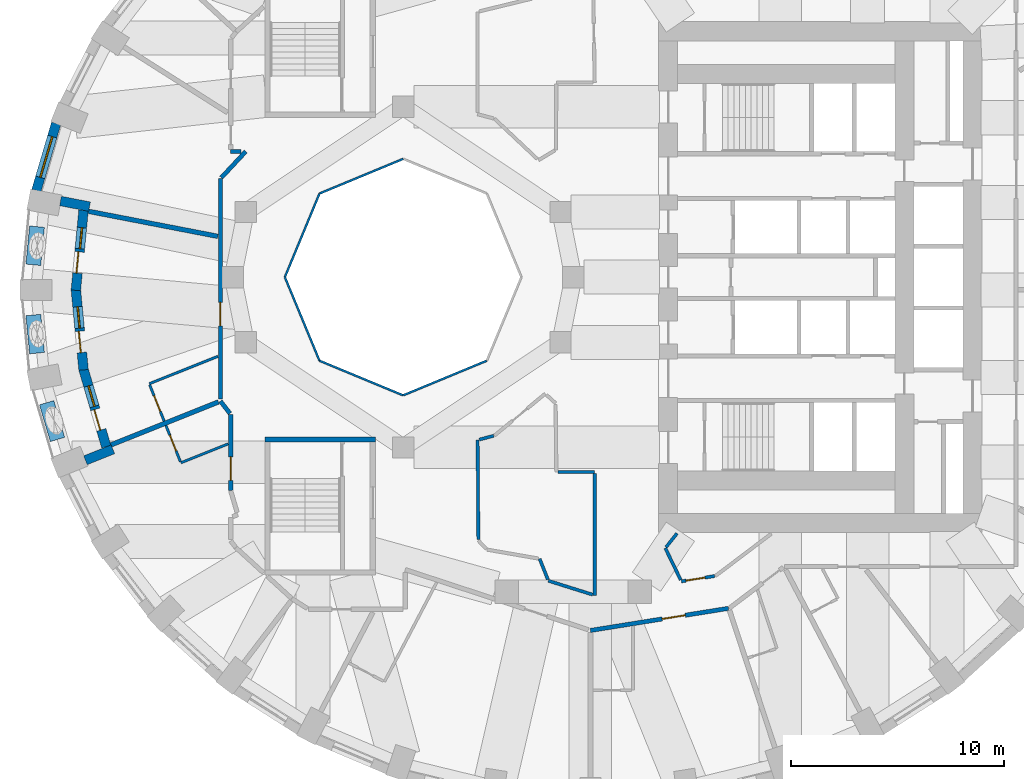
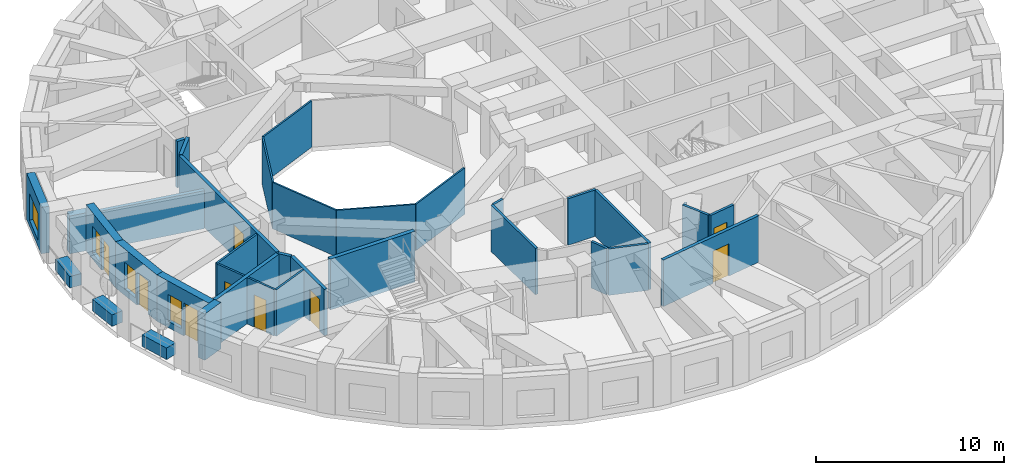
# One storey, part 4 of 12: 36 walls, 9 doors, 4 windows, 13 openings.
"""IFC4 building model written with IfcOpenShell, lengths in metres."""

from ifc_helpers import new_model, si_unit, direction, frame, frame_2d, origin, place, context, subcontext, project, spatial, rectangle, extrude, material, layer, layer_set, constituent, constituent_set, type_object, element, fill, save


model = new_model("IFC4")

# Units and contexts
model_context = context("Model", 3, precision=1e-05, world=origin(), true_north=direction((0.0, 1.0)))
body_context = subcontext(model_context, "Body", "Model", "MODEL_VIEW")
ifc_project = project(units=[si_unit("LENGTHUNIT", "METRE"), si_unit("AREAUNIT", "SQUARE_METRE"), si_unit("VOLUMEUNIT", "CUBIC_METRE"), si_unit("PLANEANGLEUNIT", "RADIAN"), si_unit("MASSUNIT", "GRAM", prefix="KILO")], contexts=[model_context])

# Site, building, storey
site_placement = place(None, origin())
site = spatial("IfcSite", under=ifc_project, at=site_placement, CompositionType="ELEMENT")
building_placement = place(site_placement, origin())
building = spatial("IfcBuilding", under=site, at=building_placement, Name="Taillehof Tower", CompositionType="ELEMENT")
storey_placement = place(building_placement, frame((0.0, 0.0, 102.10009765625)))
storey = spatial("IfcBuildingStorey", under=building, at=storey_placement, Name="L28", CompositionType="ELEMENT", Elevation=102.10009765625)

# Walls
ifc_material_1 = material(Name="Fire-resisting glass in steel frame", Category="steel")
ifc_layer_1 = layer(ifc_material_1, 0.10009765625)
ifc_layer_set_1 = layer_set([ifc_layer_1], Name="Atrium fire-resisting screen EI 60 100")
wall_type_1 = type_object("IfcWallType", Name="Atrium fire-resisting screen EI 60 100", PredefinedType="PARTITIONING", material=ifc_layer_set_1)
for number, where, z_axis, x_axis, name in (
    (1, (-4.07275390625, -3.92724609375, 0.0), (0.0, 0.0, 1.0), (-0.923860025149, -0.382730523909, 0.0), "Atrium screen"),
    (2, (-8.0, -5.55419921875, 0.0), (0.0, 0.0, 1.0), (-0.923860025149, 0.382730523909, 0.0), "Atrium screen"),
    (3, (-11.92724609375, -3.92724609375, 0.0), (0.0, 0.0, 1.0), (-0.382730523909, 0.923860025149, 0.0), "Atrium screen"),
    (4, (-13.55419921875, 0.0, 0.0), (0.0, 0.0, 1.0), (0.382730523909, 0.923860025149, 0.0), "Atrium screen"),
    (5, (-11.92724609375, 3.92724609375, 0.0), (0.0, 0.0, 1.0), (0.923860025149, 0.382730523909, 0.0), "Atrium screen"),
):
    element("IfcWall", number, at=place(storey_placement, frame(where, z_axis=z_axis, x_axis=x_axis)), inside=storey, type_object=wall_type_1, Name=name, PredefinedType="PARTITIONING", context=body_context, shape_type="SweptSolid", body=[
        extrude(rectangle(XDim=4.2509765625, YDim=0.10009765625, at=frame_2d((2.12548828125, 0.0))), origin(), (0.0, 0.0, 1.0), 3.02001953125),
    ])

# Wall, opening, window
ifc_material_2 = material(Name="Brick masonry", Category="masonry")
ifc_layer_2 = layer(ifc_material_2, 0.449951171875)
ifc_layer_set_2 = layer_set([ifc_layer_2], Name="Brick infill wall 450")
wall_type_2 = type_object("IfcWallType", Name="Brick infill wall 450", PredefinedType="SOLIDWALL", material=ifc_layer_set_2)
wall_1_placement = place(storey_placement, frame((-24.302001953125, 7.220703125, 0.0), z_axis=(0.0, 0.0, 1.0), x_axis=(-0.283071248438, -0.959098883488, 0.0)))
wall_1 = element("IfcWall", 6, at=wall_1_placement, inside=storey, type_object=wall_type_2, Name="Brick wall L28 bay 17", PredefinedType="SOLIDWALL", context=body_context, shape_type="SweptSolid", body=[
    extrude(rectangle(XDim=3.2861328125, YDim=0.449951171875, at=frame_2d((1.64306640625, 0.0))), origin(), (0.0, 0.0, 1.0), 3.02001953125),
])
opening_1_placement = place(wall_1_placement, frame((0.64306640625, 0.0, 0.39990234375)))
opening_1 = element("IfcOpeningElement", 7, at=opening_1_placement, cuts=wall_1, Name="Opening W2", PredefinedType="OPENING", context=body_context, shape_type="SweptSolid", body=[
    extrude(rectangle(XDim=2.0, YDim=1.75, at=frame_2d((1.0, 0.875))), frame((0.0, 0.23486328125, 0.0), z_axis=(0.0, -1.0, 0.0), x_axis=(1.0, 0.0, 0.0)), (0.0, 0.0, 1.0), 0.469970703125),
])
ifc_material_3 = material(Name="Aluminium window frame with clear double glazing", Category="aluminium")
window_type_1 = type_object("IfcWindowType", Name="Deep-set window 2000x1750", PartitioningType="SINGLE_PANEL", PredefinedType="WINDOW", material=ifc_material_3)
window_1_placement = place(opening_1_placement, origin())
window_1 = element("IfcWindow", 8, at=window_1_placement, inside=storey, type_object=window_type_1, Name="W2", OverallHeight=1.75, OverallWidth=2.0, PartitioningType="SINGLE_PANEL", PredefinedType="WINDOW", context=body_context, shape_type="SweptSolid", body=[
    extrude(rectangle(XDim=2.0, YDim=1.75, at=frame_2d((1.0, 0.875))), frame((0.0, 0.034912109375, 0.0), z_axis=(0.0, -1.0, 0.0), x_axis=(1.0, 0.0, 0.0)), (0.0, 0.0, 1.0), 0.06005859375),
])
fill(opening_1, window_1)

# Walls
wall_2_placement = place(storey_placement, frame((-24.09716796875, 3.576416015625, 0.0), z_axis=(0.0, 0.0, 1.0), x_axis=(0.981777736615, -0.190032828447, 0.0)))
element("IfcWall", 9, at=wall_2_placement, inside=storey, type_object=wall_type_2, Name="Brick reveal L28 pocket 5", PredefinedType="SOLIDWALL", context=body_context, shape_type="SweptSolid", body=[
    extrude(rectangle(XDim=1.39013671875, YDim=0.449951171875, at=frame_2d((0.695068359375, 0.0))), origin(), (0.0, 0.0, 1.0), 2.469970703125),
])
wall_3_placement = place(storey_placement, frame((-22.92626953125, -8.60498046875, 0.0), z_axis=(0.0, 0.0, 1.0), x_axis=(0.928549333349, 0.371209018665, 0.0)))
element("IfcWall", 10, at=wall_3_placement, inside=storey, type_object=wall_type_2, Name="Brick reveal L28 pocket 5", PredefinedType="SOLIDWALL", context=body_context, shape_type="SweptSolid", body=[
    extrude(rectangle(XDim=1.390380859375, YDim=0.449951171875, at=frame_2d((0.6953125, 0.0))), origin(), (0.0, 0.0, 1.0), 3.02001953125),
])

# Wall, openings, door, window
wall_4_placement = place(storey_placement, frame((-23.0146484375, 3.1376953125, 0.0), z_axis=(0.0, 0.0, 1.0), x_axis=(-0.095675452713, -0.995412581671, 0.0)))
wall_4 = element("IfcWall", 11, at=wall_4_placement, inside=storey, type_object=wall_type_2, Name="Brick wall L28 pocket bay 18", PredefinedType="SOLIDWALL", context=body_context, shape_type="SweptSolid", body=[
    extrude(rectangle(XDim=3.776611328125, YDim=0.449951171875, at=frame_2d((1.88818359375, 0.0))), origin(), (0.0, 0.0, 1.0), 3.02001953125),
])
opening_2_placement = place(wall_4_placement, frame((0.813232421875, 0.0, 0.39990234375)))
opening_2 = element("IfcOpeningElement", 12, at=opening_2_placement, cuts=wall_4, Name="Opening W5", PredefinedType="OPENING", context=body_context, shape_type="SweptSolid", body=[
    extrude(rectangle(XDim=1.0, YDim=1.75, at=frame_2d((0.5, 0.875))), frame((0.0, 0.23486328125, 0.0), z_axis=(0.0, -1.0, 0.0), x_axis=(1.0, 0.0, 0.0)), (0.0, 0.0, 1.0), 0.469970703125),
])
opening_3_placement = place(wall_4_placement, frame((1.96337890625, 0.0, 0.0)))
opening_3 = element("IfcOpeningElement", 13, at=opening_3_placement, cuts=wall_4, Name="Opening D2894", PredefinedType="OPENING", context=body_context, shape_type="SweptSolid", body=[
    extrude(rectangle(XDim=1.0, YDim=2.14990234375, at=frame_2d((0.5, 1.074951171875))), frame((0.0, 0.23486328125, 0.0), z_axis=(0.0, -1.0, 0.0), x_axis=(1.0, 0.0, 0.0)), (0.0, 0.0, 1.0), 0.469970703125),
])
ifc_material_4 = material(Name="Aluminium door frame with clear double glazing", Category="aluminium")
door_type_1 = type_object("IfcDoorType", Name="Balcony door 1000x2150", OperationType="SINGLE_SWING_RIGHT", PredefinedType="DOOR", material=ifc_material_4)
door_1_placement = place(opening_3_placement, frame((1.0, 0.0, 0.0), z_axis=(0.0, 0.0, 1.0), x_axis=(-1.0, 0.0, 0.0)))
door_1 = element("IfcDoor", 14, at=door_1_placement, inside=storey, type_object=door_type_1, Name="Balcony door L28 bay 18", OperationType="SINGLE_SWING_RIGHT", OverallHeight=2.14990234375, OverallWidth=1.0, PredefinedType="DOOR", context=body_context, shape_type="SweptSolid", body=[
    extrude(rectangle(XDim=1.0, YDim=2.14990234375, at=frame_2d((0.5, 1.074951171875))), frame((0.0, 0.0751953125, 0.0), z_axis=(0.0, -1.0, 0.0), x_axis=(1.0, 0.0, 0.0)), (0.0, 0.0, 1.0), 0.050048828125),
])
fill(opening_3, door_1)
ifc_material_5 = material(Name="Aluminium window frame with clear double glazing", Category="aluminium")
window_type_2 = type_object("IfcWindowType", Name="Fixed window 1000x1750", PartitioningType="SINGLE_PANEL", PredefinedType="WINDOW", material=ifc_material_5)
window_2_placement = place(opening_2_placement, origin())
window_2 = element("IfcWindow", 15, at=window_2_placement, inside=storey, type_object=window_type_2, Name="W5", OverallHeight=1.75, OverallWidth=1.0, PartitioningType="SINGLE_PANEL", PredefinedType="WINDOW", context=body_context, shape_type="SweptSolid", body=[
    extrude(rectangle(XDim=1.0, YDim=1.75, at=frame_2d((0.5, 0.875))), frame((0.0, 0.034912109375, 0.0), z_axis=(0.0, -1.0, 0.0), x_axis=(1.0, 0.0, 0.0)), (0.0, 0.0, 1.0), 0.06005859375),
])
fill(opening_2, window_2)

wall_5_placement = place(storey_placement, frame((-23.3759765625, -0.578369140625, 0.0), z_axis=(0.0, 0.0, 1.0), x_axis=(0.095646267275, -0.995415386437, 0.0)))
wall_5 = element("IfcWall", 16, at=wall_5_placement, inside=storey, type_object=wall_type_2, Name="Brick wall L28 pocket bay 19", PredefinedType="SOLIDWALL", context=body_context, shape_type="SweptSolid", body=[
    extrude(rectangle(XDim=3.798095703125, YDim=0.449951171875, at=frame_2d((1.89892578125, 0.0))), origin(), (0.0, 0.0, 1.0), 3.02001953125),
])
opening_4_placement = place(wall_5_placement, frame((0.823974609375, 0.0, 0.39990234375)))
opening_4 = element("IfcOpeningElement", 17, at=opening_4_placement, cuts=wall_5, Name="Opening W5", PredefinedType="OPENING", context=body_context, shape_type="SweptSolid", body=[
    extrude(rectangle(XDim=1.0, YDim=1.75, at=frame_2d((0.5, 0.875))), frame((0.0, 0.23486328125, 0.0), z_axis=(0.0, -1.0, 0.0), x_axis=(1.0, 0.0, 0.0)), (0.0, 0.0, 1.0), 0.469970703125),
])
opening_5_placement = place(wall_5_placement, frame((1.97412109375, 0.0, 0.0)))
opening_5 = element("IfcOpeningElement", 18, at=opening_5_placement, cuts=wall_5, Name="Opening D2895", PredefinedType="OPENING", context=body_context, shape_type="SweptSolid", body=[
    extrude(rectangle(XDim=1.0, YDim=2.14990234375, at=frame_2d((0.5, 1.074951171875))), frame((0.0, 0.23486328125, 0.0), z_axis=(0.0, -1.0, 0.0), x_axis=(1.0, 0.0, 0.0)), (0.0, 0.0, 1.0), 0.469970703125),
])
door_2_placement = place(opening_5_placement, frame((1.0, 0.0, 0.0), z_axis=(0.0, 0.0, 1.0), x_axis=(-1.0, 0.0, 0.0)))
door_2 = element("IfcDoor", 19, at=door_2_placement, inside=storey, type_object=door_type_1, Name="Balcony door L28 bay 19", OperationType="SINGLE_SWING_LEFT", OverallHeight=2.14990234375, OverallWidth=1.0, PredefinedType="DOOR", context=body_context, shape_type="SweptSolid", body=[
    extrude(rectangle(XDim=1.0, YDim=2.14990234375, at=frame_2d((0.5, 1.074951171875))), frame((0.0, 0.0751953125, 0.0), z_axis=(0.0, -1.0, 0.0), x_axis=(1.0, 0.0, 0.0)), (0.0, 0.0, 1.0), 0.050048828125),
])
fill(opening_5, door_2)
window_3_placement = place(opening_4_placement, origin())
window_3 = element("IfcWindow", 20, at=window_3_placement, inside=storey, type_object=window_type_2, Name="W5", OverallHeight=1.75, OverallWidth=1.0, PartitioningType="SINGLE_PANEL", PredefinedType="WINDOW", context=body_context, shape_type="SweptSolid", body=[
    extrude(rectangle(XDim=1.0, YDim=1.75, at=frame_2d((0.5, 0.875))), frame((0.0, 0.034912109375, 0.0), z_axis=(0.0, -1.0, 0.0), x_axis=(1.0, 0.0, 0.0)), (0.0, 0.0, 1.0), 0.06005859375),
])
fill(opening_4, window_3)

wall_6_placement = place(storey_placement, frame((-23.020751953125, -4.317138671875, 0.0), z_axis=(0.0, 0.0, 1.0), x_axis=(0.282391916129, -0.959299122123, 0.0)))
wall_6 = element("IfcWall", 21, at=wall_6_placement, inside=storey, type_object=wall_type_2, Name="Brick wall L28 pocket bay 20", PredefinedType="SOLIDWALL", context=body_context, shape_type="SweptSolid", body=[
    extrude(rectangle(XDim=3.808349609375, YDim=0.449951171875, at=frame_2d((1.904296875, 0.0))), origin(), (0.0, 0.0, 1.0), 3.02001953125),
])
opening_6_placement = place(wall_6_placement, frame((0.8291015625, 0.0, 0.39990234375)))
opening_6 = element("IfcOpeningElement", 22, at=opening_6_placement, cuts=wall_6, Name="Opening W5", PredefinedType="OPENING", context=body_context, shape_type="SweptSolid", body=[
    extrude(rectangle(XDim=1.0, YDim=1.75, at=frame_2d((0.5, 0.875))), frame((0.0, 0.23486328125, 0.0), z_axis=(0.0, -1.0, 0.0), x_axis=(1.0, 0.0, 0.0)), (0.0, 0.0, 1.0), 0.469970703125),
])
opening_7_placement = place(wall_6_placement, frame((1.979248046875, 0.0, 0.0)))
opening_7 = element("IfcOpeningElement", 23, at=opening_7_placement, cuts=wall_6, Name="Opening D2896", PredefinedType="OPENING", context=body_context, shape_type="SweptSolid", body=[
    extrude(rectangle(XDim=1.0, YDim=2.14990234375, at=frame_2d((0.5, 1.074951171875))), frame((0.0, 0.23486328125, 0.0), z_axis=(0.0, -1.0, 0.0), x_axis=(1.0, 0.0, 0.0)), (0.0, 0.0, 1.0), 0.469970703125),
])
door_3_placement = place(opening_7_placement, frame((1.0, 0.0, 0.0), z_axis=(0.0, 0.0, 1.0), x_axis=(-1.0, 0.0, 0.0)))
door_3 = element("IfcDoor", 24, at=door_3_placement, inside=storey, type_object=door_type_1, Name="Balcony door L28 bay 20", OperationType="SINGLE_SWING_LEFT", OverallHeight=2.14990234375, OverallWidth=1.0, PredefinedType="DOOR", context=body_context, shape_type="SweptSolid", body=[
    extrude(rectangle(XDim=1.0, YDim=2.14990234375, at=frame_2d((0.5, 1.074951171875))), frame((0.0, 0.0751953125, 0.0), z_axis=(0.0, -1.0, 0.0), x_axis=(1.0, 0.0, 0.0)), (0.0, 0.0, 1.0), 0.050048828125),
])
fill(opening_7, door_3)
window_4_placement = place(opening_6_placement, origin())
window_4 = element("IfcWindow", 25, at=window_4_placement, inside=storey, type_object=window_type_2, Name="W5", OverallHeight=1.75, OverallWidth=1.0, PartitioningType="SINGLE_PANEL", PredefinedType="WINDOW", context=body_context, shape_type="SweptSolid", body=[
    extrude(rectangle(XDim=1.0, YDim=1.75, at=frame_2d((0.5, 0.875))), frame((0.0, 0.034912109375, 0.0), z_axis=(0.0, -1.0, 0.0), x_axis=(1.0, 0.0, 0.0)), (0.0, 0.0, 1.0), 0.06005859375),
])
fill(opening_6, window_4)

# Wall, opening, door
ifc_material_6 = material(Name="Gypsum board on steel studs, two layers each side", Category="steel")
ifc_layer_3 = layer(ifc_material_6, 0.199951171875)
ifc_layer_set_3 = layer_set([ifc_layer_3], Name="Compartment wall corridor 200")
wall_type_3 = type_object("IfcWallType", Name="Compartment wall corridor 200", PredefinedType="PARTITIONING", material=ifc_layer_set_3)
wall_7_placement = place(storey_placement, frame((-16.10009765625, -10.013427734375, 0.0), z_axis=(0.0, 0.0, 1.0), x_axis=(0.0, 1.0, 0.0)))
wall_7 = element("IfcWall", 26, at=wall_7_placement, inside=storey, type_object=wall_type_3, Name="Compartment wall", PredefinedType="PARTITIONING", context=body_context, shape_type="SweptSolid", body=[
    extrude(rectangle(XDim=3.561279296875, YDim=0.199951171875, at=frame_2d((1.78076171875, 0.0))), origin(), (0.0, 0.0, 1.0), 3.02001953125),
])
opening_8_placement = place(wall_7_placement, frame((0.47021484375, 0.0, 0.0)))
opening_8 = element("IfcOpeningElement", 27, at=opening_8_placement, cuts=wall_7, Name="Opening D2850", PredefinedType="OPENING", context=body_context, shape_type="SweptSolid", body=[
    extrude(rectangle(XDim=1.10009765625, YDim=2.10009765625, at=frame_2d((0.550048828125, 1.050048828125))), frame((0.0, 0.10986328125, 0.0), z_axis=(0.0, -1.0, 0.0), x_axis=(1.0, 0.0, 0.0)), (0.0, 0.0, 1.0), 0.219970703125),
])
ifc_material_7 = material(Name="Timber door leaf in steel frame", Category="steel")
door_type_2 = type_object("IfcDoorType", Name="Suite entrance door EI 30 1100 x 2100", OperationType="SINGLE_SWING_LEFT", PredefinedType="DOOR", material=ifc_material_7)
door_4_placement = place(opening_8_placement, origin())
door_4 = element("IfcDoor", 28, at=door_4_placement, inside=storey, type_object=door_type_2, Name="D2850", OperationType="SINGLE_SWING_RIGHT", OverallHeight=2.10009765625, OverallWidth=1.10009765625, PredefinedType="DOOR", context=body_context, shape_type="SweptSolid", body=[
    extrude(rectangle(XDim=1.10009765625, YDim=2.10009765625, at=frame_2d((0.550048828125, 1.050048828125))), frame((0.0, 0.02490234375, 0.0), z_axis=(0.0, -1.0, 0.0), x_axis=(1.0, 0.0, 0.0)), (0.0, 0.0, 1.0), 0.050048828125),
])
fill(opening_8, door_4)

# Wall
wall_8_placement = place(storey_placement, frame((-16.13671875, -6.404541015625, 0.0), z_axis=(0.0, 0.0, 1.0), x_axis=(-0.612388914667, 0.790556650211, 0.0)))
element("IfcWall", 29, at=wall_8_placement, inside=storey, type_object=wall_type_3, Name="Compartment wall", PredefinedType="PARTITIONING", context=body_context, shape_type="SweptSolid", body=[
    extrude(rectangle(XDim=0.73046875, YDim=0.199951171875, at=frame_2d((0.365234375, 0.0))), origin(), (0.0, 0.0, 1.0), 3.02001953125),
])

# Wall, opening, door
wall_9_placement = place(storey_placement, frame((-16.583984375, -5.72705078125, 0.0), z_axis=(0.0, 0.0, 1.0), x_axis=(0.0, 1.0, 0.0)))
wall_9 = element("IfcWall", 30, at=wall_9_placement, inside=storey, type_object=wall_type_3, Name="Compartment wall", PredefinedType="PARTITIONING", context=body_context, shape_type="SweptSolid", body=[
    extrude(rectangle(XDim=10.354248046875, YDim=0.199951171875, at=frame_2d((5.17724609375, 0.0))), origin(), (0.0, 0.0, 1.0), 3.02001953125),
])
opening_9_placement = place(wall_9_placement, frame((3.439208984375, 0.0, 0.0)))
opening_9 = element("IfcOpeningElement", 31, at=opening_9_placement, cuts=wall_9, Name="Opening D2848", PredefinedType="OPENING", context=body_context, shape_type="SweptSolid", body=[
    extrude(rectangle(XDim=1.10009765625, YDim=2.10009765625, at=frame_2d((0.550048828125, 1.050048828125))), frame((0.0, 0.10986328125, 0.0), z_axis=(0.0, -1.0, 0.0), x_axis=(1.0, 0.0, 0.0)), (0.0, 0.0, 1.0), 0.219970703125),
])
door_5_placement = place(opening_9_placement, origin())
door_5 = element("IfcDoor", 32, at=door_5_placement, inside=storey, type_object=door_type_2, Name="D2848", OperationType="SINGLE_SWING_LEFT", OverallHeight=2.10009765625, OverallWidth=1.10009765625, PredefinedType="DOOR", context=body_context, shape_type="SweptSolid", body=[
    extrude(rectangle(XDim=1.10009765625, YDim=2.10009765625, at=frame_2d((0.550048828125, 1.050048828125))), frame((0.0, 0.02490234375, 0.0), z_axis=(0.0, -1.0, 0.0), x_axis=(1.0, 0.0, 0.0)), (0.0, 0.0, 1.0), 0.050048828125),
])
fill(opening_9, door_5)

# Walls
wall_10_placement = place(storey_placement, frame((-16.54296875, 4.671142578125, 0.0), z_axis=(0.0, 0.0, 1.0), x_axis=(0.681815766934, 0.731523929861, 0.0)))
element("IfcWall", 33, at=wall_10_placement, inside=storey, type_object=wall_type_3, Name="Compartment wall", PredefinedType="PARTITIONING", context=body_context, shape_type="SweptSolid", body=[
    extrude(rectangle(XDim=1.6796875, YDim=0.199951171875, at=frame_2d((0.83984375, 0.0))), origin(), (0.0, 0.0, 1.0), 3.02001953125),
])
wall_11_placement = place(storey_placement, frame((-15.617919921875, 5.89990234375, 0.0), z_axis=(0.0, 0.0, 1.0), x_axis=(-1.0, 0.0, 0.0)))
element("IfcWall", 34, at=wall_11_placement, inside=storey, type_object=wall_type_3, Name="Compartment wall", PredefinedType="PARTITIONING", context=body_context, shape_type="SweptSolid", body=[
    extrude(rectangle(XDim=0.482177734375, YDim=0.199951171875, at=frame_2d((0.2412109375, 0.0))), origin(), (0.0, 0.0, 1.0), 3.02001953125),
])

# Wall, opening, door
wall_12_placement = place(storey_placement, frame((7.284423828125, -15.561279296875, 0.0), z_axis=(0.0, 0.0, 1.0), x_axis=(-0.987409293733, -0.158186240393, 0.0)))
wall_12 = element("IfcWall", 35, at=wall_12_placement, inside=storey, type_object=wall_type_3, Name="Compartment wall", PredefinedType="PARTITIONING", context=body_context, shape_type="SweptSolid", body=[
    extrude(rectangle(XDim=6.567138671875, YDim=0.199951171875, at=frame_2d((3.28369140625, 0.0))), origin(), (0.0, 0.0, 1.0), 3.02001953125),
])
opening_10_placement = place(wall_12_placement, frame((2.057373046875, 0.0, 0.0)))
opening_10 = element("IfcOpeningElement", 36, at=opening_10_placement, cuts=wall_12, Name="Opening D2855", PredefinedType="OPENING", context=body_context, shape_type="SweptSolid", body=[
    extrude(rectangle(XDim=1.10009765625, YDim=2.10009765625, at=frame_2d((0.550048828125, 1.050048828125))), frame((0.0, 0.10986328125, 0.0), z_axis=(0.0, -1.0, 0.0), x_axis=(1.0, 0.0, 0.0)), (0.0, 0.0, 1.0), 0.219970703125),
])
door_6_placement = place(opening_10_placement, origin())
door_6 = element("IfcDoor", 37, at=door_6_placement, inside=storey, type_object=door_type_2, Name="D2855", OperationType="SINGLE_SWING_RIGHT", OverallHeight=2.10009765625, OverallWidth=1.10009765625, PredefinedType="DOOR", context=body_context, shape_type="SweptSolid", body=[
    extrude(rectangle(XDim=1.10009765625, YDim=2.10009765625, at=frame_2d((0.550048828125, 1.050048828125))), frame((0.0, 0.02490234375, 0.0), z_axis=(0.0, -1.0, 0.0), x_axis=(1.0, 0.0, 0.0)), (0.0, 0.0, 1.0), 0.050048828125),
])
fill(opening_10, door_6)

# Walls
ifc_material_8 = material(Name="Gypsum board on double steel studs with mineral wool", Category="steel")
ifc_layer_4 = layer(ifc_material_8, 0.219970703125)
ifc_layer_set_4 = layer_set([ifc_layer_4], Name="Compartment wall guest room 220")
wall_type_4 = type_object("IfcWallType", Name="Compartment wall guest room 220", PredefinedType="PARTITIONING", material=ifc_layer_set_4)
wall_13_placement = place(storey_placement, frame((-22.792724609375, 3.0947265625, 0.0), z_axis=(0.0, 0.0, 1.0), x_axis=(0.98175994641, -0.190124715976, 0.0)))
element("IfcWall", 38, at=wall_13_placement, inside=storey, type_object=wall_type_4, Name="Compartment wall", PredefinedType="PARTITIONING", context=body_context, shape_type="SweptSolid", body=[
    extrude(rectangle(XDim=6.2021484375, YDim=0.219970703125, at=frame_2d((3.10107421875, 0.0))), origin(), (0.0, 0.0, 1.0), 2.469970703125),
])
wall_14_placement = place(storey_placement, frame((-21.735595703125, -7.88671875, 0.0), z_axis=(0.0, 0.0, 1.0), x_axis=(0.928513770625, 0.371297963583, 0.0)))
element("IfcWall", 39, at=wall_14_placement, inside=storey, type_object=wall_type_4, Name="Compartment wall", PredefinedType="PARTITIONING", context=body_context, shape_type="SweptSolid", body=[
    extrude(rectangle(XDim=5.4482421875, YDim=0.219970703125, at=frame_2d((2.72412109375, 0.0))), origin(), (0.0, 0.0, 1.0), 3.02001953125),
])
ifc_material_9 = material(Name="Gypsum board on steel studs, two layers each side", Category="steel")
ifc_layer_5 = layer(ifc_material_9, 0.14990234375)
ifc_layer_set_5 = layer_set([ifc_layer_5], Name="Compartment wall service room 150")
wall_type_5 = type_object("IfcWallType", Name="Compartment wall service room 150", PredefinedType="PARTITIONING", material=ifc_layer_set_5)
wall_15_placement = place(storey_placement, frame((-0.719970703125, -9.14990234375, 0.0), z_axis=(0.0, 0.0, 1.0), x_axis=(1.0, 0.0, 0.0)))
element("IfcWall", 40, at=wall_15_placement, inside=storey, type_object=wall_type_5, Name="Compartment wall", PredefinedType="PARTITIONING", context=body_context, shape_type="SweptSolid", body=[
    extrude(rectangle(XDim=1.719970703125, YDim=0.14990234375, at=frame_2d((0.85986328125, 0.0))), origin(), (0.0, 0.0, 1.0), 3.02001953125),
])
wall_16_placement = place(storey_placement, frame((1.0, -9.22998046875, 0.0), z_axis=(0.0, 0.0, 1.0), x_axis=(0.0, -1.0, 0.0)))
element("IfcWall", 41, at=wall_16_placement, inside=storey, type_object=wall_type_5, Name="Compartment wall", PredefinedType="PARTITIONING", context=body_context, shape_type="SweptSolid", body=[
    extrude(rectangle(XDim=5.717529296875, YDim=0.14990234375, at=frame_2d((2.85888671875, 0.0))), origin(), (0.0, 0.0, 1.0), 3.02001953125),
])
wall_17_placement = place(storey_placement, frame((0.90478515625, -14.918212890625, 0.0), z_axis=(0.0, 0.0, 1.0), x_axis=(-0.954324426349, 0.298772303391, 0.0)))
element("IfcWall", 42, at=wall_17_placement, inside=storey, type_object=wall_type_5, Name="Compartment wall", PredefinedType="PARTITIONING", context=body_context, shape_type="SweptSolid", body=[
    extrude(rectangle(XDim=2.18017578125, YDim=0.14990234375, at=frame_2d((1.090087890625, 0.0))), origin(), (0.0, 0.0, 1.0), 3.02001953125),
])
wall_18_placement = place(storey_placement, frame((-1.19775390625, -14.211181640625, 0.0), z_axis=(0.0, 0.0, 1.0), x_axis=(-0.368390833177, 0.929671013871, 0.0)))
element("IfcWall", 43, at=wall_18_placement, inside=storey, type_object=wall_type_5, Name="Compartment wall", PredefinedType="PARTITIONING", context=body_context, shape_type="SweptSolid", body=[
    extrude(rectangle(XDim=1.052978515625, YDim=0.14990234375, at=frame_2d((0.5263671875, 0.0))), origin(), (0.0, 0.0, 1.0), 3.02001953125),
])
wall_19_placement = place(storey_placement, frame((-4.46435546875, -12.33740234375, 0.0), z_axis=(0.0, 0.0, 1.0), x_axis=(-0.007612272268, 0.999971026236, 0.0)))
element("IfcWall", 44, at=wall_19_placement, inside=storey, type_object=wall_type_5, Name="Compartment wall", PredefinedType="PARTITIONING", context=body_context, shape_type="SweptSolid", body=[
    extrude(rectangle(XDim=4.6826171875, YDim=0.14990234375, at=frame_2d((2.34130859375, 0.0))), origin(), (0.0, 0.0, 1.0), 3.02001953125),
])
wall_20_placement = place(storey_placement, frame((-4.4228515625, -7.634521484375, 0.0), z_axis=(0.0, 0.0, 1.0), x_axis=(0.965842837235, 0.259128566087, 0.0)))
element("IfcWall", 45, at=wall_20_placement, inside=storey, type_object=wall_type_5, Name="Compartment wall", PredefinedType="PARTITIONING", context=body_context, shape_type="SweptSolid", body=[
    extrude(rectangle(XDim=0.704833984375, YDim=0.14990234375, at=frame_2d((0.3525390625, 0.0))), origin(), (0.0, 0.0, 1.0), 3.02001953125),
])

# Wall, opening, door
wall_21_placement = place(storey_placement, frame((6.637451171875, -14.04443359375, 0.0), z_axis=(0.0, 0.0, 1.0), x_axis=(-0.987404968029, -0.158213239367, 0.0)))
wall_21 = element("IfcWall", 46, at=wall_21_placement, inside=storey, type_object=wall_type_5, Name="Compartment wall", PredefinedType="PARTITIONING", context=body_context, shape_type="SweptSolid", body=[
    extrude(rectangle(XDim=1.581787109375, YDim=0.14990234375, at=frame_2d((0.791015625, 0.0))), origin(), (0.0, 0.0, 1.0), 3.02001953125),
])
opening_11_placement = place(wall_21_placement, frame((0.461669921875, 0.0, 0.0)))
opening_11 = element("IfcOpeningElement", 47, at=opening_11_placement, cuts=wall_21, Name="Opening D2867", PredefinedType="OPENING", context=body_context, shape_type="SweptSolid", body=[
    extrude(rectangle(XDim=0.89990234375, YDim=2.10009765625, at=frame_2d((0.449951171875, 1.050048828125))), frame((0.0, 0.0849609375, 0.0), z_axis=(0.0, -1.0, 0.0), x_axis=(1.0, 0.0, 0.0)), (0.0, 0.0, 1.0), 0.169921875),
])
ifc_material_10 = material(Name="Timber door leaf in steel frame", Category="steel")
door_type_3 = type_object("IfcDoorType", Name="Service room door EI 30 900 x 2100", OperationType="SINGLE_SWING_LEFT", PredefinedType="DOOR", material=ifc_material_10)
door_7_placement = place(opening_11_placement, origin())
door_7 = element("IfcDoor", 48, at=door_7_placement, inside=storey, type_object=door_type_3, Name="D2867", OperationType="SINGLE_SWING_LEFT", OverallHeight=2.10009765625, OverallWidth=0.89990234375, PredefinedType="DOOR", context=body_context, shape_type="SweptSolid", body=[
    extrude(rectangle(XDim=0.89990234375, YDim=2.10009765625, at=frame_2d((0.449951171875, 1.050048828125))), frame((0.0, 0.02490234375, 0.0), z_axis=(0.0, -1.0, 0.0), x_axis=(1.0, 0.0, 0.0)), (0.0, 0.0, 1.0), 0.050048828125),
])
fill(opening_11, door_7)

# Walls
wall_22_placement = place(storey_placement, frame((5.04052734375, -14.222412109375, 0.0), z_axis=(0.0, 0.0, 1.0), x_axis=(-0.436031090703, 0.899931601812, 0.0)))
element("IfcWall", 49, at=wall_22_placement, inside=storey, type_object=wall_type_5, Name="Compartment wall", PredefinedType="PARTITIONING", context=body_context, shape_type="SweptSolid", body=[
    extrude(rectangle(XDim=1.65576171875, YDim=0.14990234375, at=frame_2d((0.827880859375, 0.0))), origin(), (0.0, 0.0, 1.0), 3.02001953125),
])
wall_23_placement = place(storey_placement, frame((4.35595703125, -12.685546875, 0.0), z_axis=(0.0, 0.0, 1.0), x_axis=(0.621438600293, 0.783462868339, 0.0)))
element("IfcWall", 50, at=wall_23_placement, inside=storey, type_object=wall_type_5, Name="Compartment wall", PredefinedType="PARTITIONING", context=body_context, shape_type="SweptSolid", body=[
    extrude(rectangle(XDim=0.82421875, YDim=0.14990234375, at=frame_2d((0.412109375, 0.0))), origin(), (0.0, 0.0, 1.0), 2.56982421875),
])
ifc_material_11 = material(Name="Gypsum board on steel studs, moisture resistant", Category="steel")
ifc_layer_6 = layer(ifc_material_11, 0.1201171875)
ifc_layer_set_6 = layer_set([ifc_layer_6], Name="En-suite wall 120")
wall_type_6 = type_object("IfcWallType", Name="En-suite wall 120", PredefinedType="PARTITIONING", material=ifc_layer_set_6)
wall_24_placement = place(storey_placement, frame((-16.70263671875, -3.720703125, 0.0), z_axis=(0.0, 0.0, 1.0), x_axis=(-0.928539725362, -0.371233051362, 0.0)))
element("IfcWall", 51, at=wall_24_placement, inside=storey, type_object=wall_type_6, Name="En-suite wall", PredefinedType="PARTITIONING", context=body_context, shape_type="SweptSolid", body=[
    extrude(rectangle(XDim=3.4716796875, YDim=0.1201171875, at=frame_2d((1.73583984375, 0.0))), origin(), (0.0, 0.0, 1.0), 3.02001953125),
])
wall_25_placement = place(storey_placement, frame((-16.21875, -7.8349609375, 0.0), z_axis=(0.0, 0.0, 1.0), x_axis=(-0.928532951542, -0.371249993806, 0.0)))
element("IfcWall", 52, at=wall_25_placement, inside=storey, type_object=wall_type_6, Name="En-suite wall", PredefinedType="PARTITIONING", context=body_context, shape_type="SweptSolid", body=[
    extrude(rectangle(XDim=2.393798828125, YDim=0.1201171875, at=frame_2d((1.19677734375, 0.0))), origin(), (0.0, 0.0, 1.0), 3.02001953125),
])

# Wall, opening, door
wall_26_placement = place(storey_placement, frame((-19.904052734375, -5.065185546875, 0.0), z_axis=(0.0, 0.0, 1.0), x_axis=(0.371275666236, -0.92852268667, 0.0)))
wall_26 = element("IfcWall", 53, at=wall_26_placement, inside=storey, type_object=wall_type_6, Name="En-suite wall", PredefinedType="PARTITIONING", context=body_context, shape_type="SweptSolid", body=[
    extrude(rectangle(XDim=1.830078125, YDim=0.1201171875, at=frame_2d((0.9150390625, 0.0))), origin(), (0.0, 0.0, 1.0), 3.02001953125),
])
opening_12_placement = place(wall_26_placement, frame((0.5400390625, 0.0, 0.0)))
opening_12 = element("IfcOpeningElement", 54, at=opening_12_placement, cuts=wall_26, Name="Opening D2849", PredefinedType="OPENING", context=body_context, shape_type="SweptSolid", body=[
    extrude(rectangle(XDim=0.800048828125, YDim=2.10009765625, at=frame_2d((0.39990234375, 1.050048828125))), frame((0.0, 0.070068359375, 0.0), z_axis=(0.0, -1.0, 0.0), x_axis=(1.0, 0.0, 0.0)), (0.0, 0.0, 1.0), 0.14013671875),
])
ifc_material_12 = material(Name="Timber door leaf in steel frame", Category="steel")
door_type_4 = type_object("IfcDoorType", Name="En-suite door 800 x 2100", OperationType="SINGLE_SWING_LEFT", PredefinedType="DOOR", material=ifc_material_12)
door_8_placement = place(opening_12_placement, origin())
door_8 = element("IfcDoor", 55, at=door_8_placement, inside=storey, type_object=door_type_4, Name="D2849", OperationType="SINGLE_SWING_LEFT", OverallHeight=2.10009765625, OverallWidth=0.800048828125, PredefinedType="DOOR", context=body_context, shape_type="SweptSolid", body=[
    extrude(rectangle(XDim=0.800048828125, YDim=2.10009765625, at=frame_2d((0.39990234375, 1.050048828125))), frame((0.0, 0.02490234375, 0.0), z_axis=(0.0, -1.0, 0.0), x_axis=(1.0, 0.0, 0.0)), (0.0, 0.0, 1.0), 0.050048828125),
])
fill(opening_12, door_8)

wall_27_placement = place(storey_placement, frame((-18.463623046875, -8.66796875, 0.0), z_axis=(0.0, 0.0, 1.0), x_axis=(-0.371275666236, 0.92852268667, 0.0)))
wall_27 = element("IfcWall", 56, at=wall_27_placement, inside=storey, type_object=wall_type_6, Name="En-suite wall", PredefinedType="PARTITIONING", context=body_context, shape_type="SweptSolid", body=[
    extrude(rectangle(XDim=1.830078125, YDim=0.1201171875, at=frame_2d((0.9150390625, 0.0))), origin(), (0.0, 0.0, 1.0), 3.02001953125),
])
opening_13_placement = place(wall_27_placement, frame((0.5400390625, 0.0, 0.0)))
opening_13 = element("IfcOpeningElement", 57, at=opening_13_placement, cuts=wall_27, Name="Opening D2851", PredefinedType="OPENING", context=body_context, shape_type="SweptSolid", body=[
    extrude(rectangle(XDim=0.800048828125, YDim=2.10009765625, at=frame_2d((0.39990234375, 1.050048828125))), frame((0.0, 0.070068359375, 0.0), z_axis=(0.0, -1.0, 0.0), x_axis=(1.0, 0.0, 0.0)), (0.0, 0.0, 1.0), 0.14013671875),
])
door_9_placement = place(opening_13_placement, origin())
door_9 = element("IfcDoor", 58, at=door_9_placement, inside=storey, type_object=door_type_4, Name="D2851", OperationType="SINGLE_SWING_RIGHT", OverallHeight=2.10009765625, OverallWidth=0.800048828125, PredefinedType="DOOR", context=body_context, shape_type="SweptSolid", body=[
    extrude(rectangle(XDim=0.800048828125, YDim=2.10009765625, at=frame_2d((0.39990234375, 1.050048828125))), frame((0.0, 0.02490234375, 0.0), z_axis=(0.0, -1.0, 0.0), x_axis=(1.0, 0.0, 0.0)), (0.0, 0.0, 1.0), 0.050048828125),
])
fill(opening_13, door_9)

# Walls
ifc_material_13 = material(Name="Concrete C30/37 precast", Category="concrete")
ifc_constituent_1 = constituent(ifc_material_13, Name="Structure", Category="concrete")
ifc_material_14 = material(Name="Insulated lining")
ifc_constituent_2 = constituent(ifc_material_14, Name="Lining")
ifc_constituent_set = constituent_set(constituents=[ifc_constituent_1, ifc_constituent_2], Name="Planter trough 700x750")
wall_type_7 = type_object("IfcWallType", Name="Planter trough 700x750", PredefinedType="USERDEFINED", material=ifc_constituent_set)
wall_28_placement = place(storey_placement, frame((-25.201416015625, 2.37158203125, 0.0), z_axis=(0.0, 0.0, 1.0), x_axis=(-0.0959036751, -0.995390619356, 0.0)))
element("IfcWall", 59, at=wall_28_placement, inside=storey, type_object=wall_type_7, Name="Planter L28 bay 18", ObjectType="PLANTER", PredefinedType="USERDEFINED", context=body_context, shape_type="SweptSolid", body=[
    extrude(rectangle(XDim=1.7998046875, YDim=0.699951171875, at=frame_2d((0.89990234375, 0.0))), origin(), (0.0, 0.0, 1.0), 0.75),
])
for number, where, z_axis, x_axis, name in (
    (60, (-25.3740234375, -1.780029296875, 0.0), (0.0, 0.0, 1.0), (0.09589072759, -0.995391866735, 0.0), "Planter L28 bay 19"),
    (61, (-24.74853515625, -5.90087890625, 0.0), (0.0, 0.0, 1.0), (0.283076786659, -0.959097248904, 0.0), "Planter L28 bay 20"),
):
    element("IfcWall", number, at=place(storey_placement, frame(where, z_axis=z_axis, x_axis=x_axis)), inside=storey, type_object=wall_type_7, Name=name, ObjectType="PLANTER", PredefinedType="USERDEFINED", context=body_context, shape_type="SweptSolid", body=[
        extrude(rectangle(XDim=1.800048828125, YDim=0.699951171875, at=frame_2d((0.89990234375, 0.0))), origin(), (0.0, 0.0, 1.0), 0.75),
    ])
ifc_material_15 = material(Name="Concrete C50/60", Category="concrete")
ifc_layer_7 = layer(ifc_material_15, 0.25)
ifc_layer_set_7 = layer_set([ifc_layer_7], Name="Stair wall C50/60 250")
wall_type_8 = type_object("IfcWallType", Name="Stair wall C50/60 250", PredefinedType="SHEAR", material=ifc_layer_set_7)
wall_29_placement = place(storey_placement, frame((-14.5, -7.625, -0.280029296875), z_axis=(0.0, 0.0, 1.0), x_axis=(1.0, 0.0, 0.0)))
element("IfcWall", 62, at=wall_29_placement, inside=storey, type_object=wall_type_8, Name="Stair wall SC", PredefinedType="SHEAR", context=body_context, shape_type="SweptSolid", body=[
    extrude(rectangle(XDim=5.199951171875, YDim=0.25, at=frame_2d((2.60009765625, 0.0))), origin(), (0.0, 0.0, 1.0), 3.300048828125),
])

save(model, "model.ifc")
